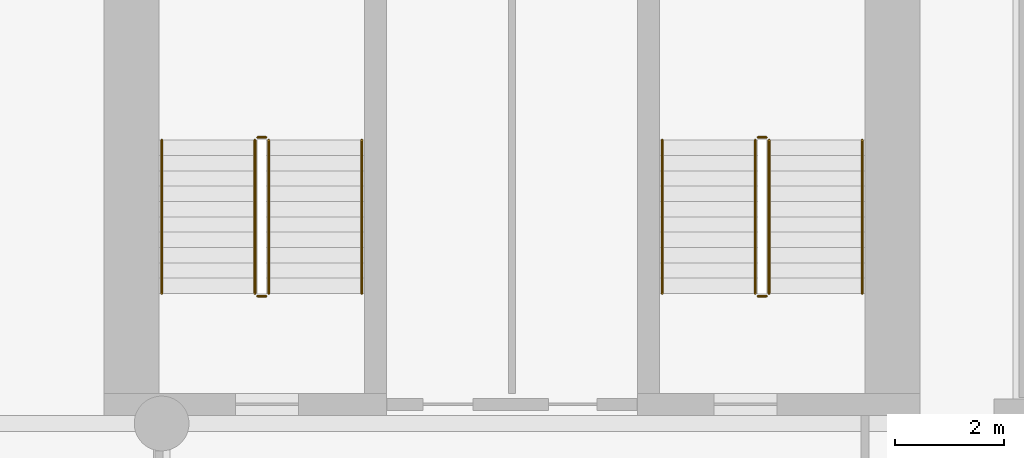
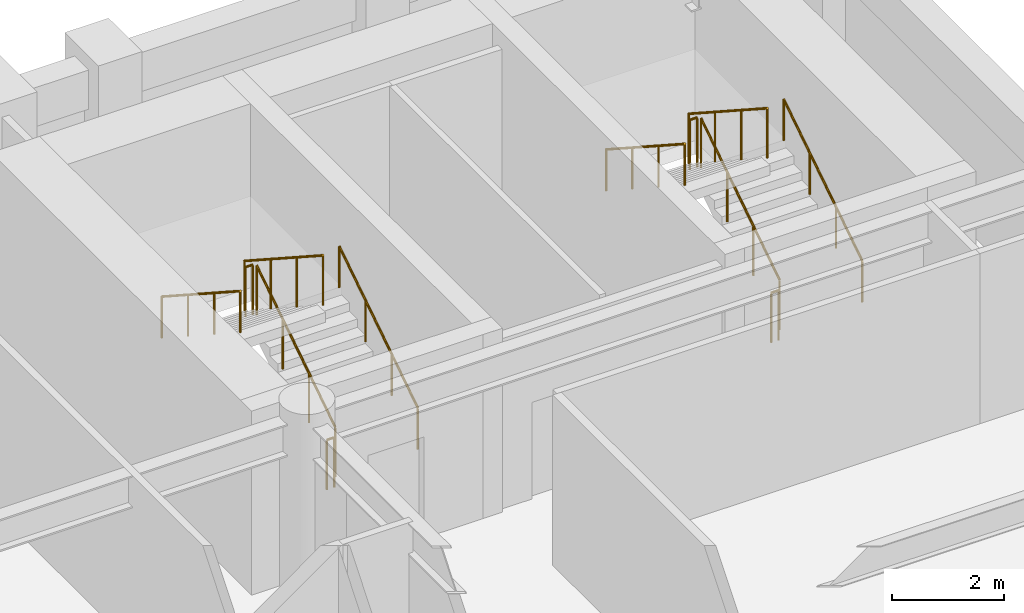
# One storey, part 9 of 9: 12 railings.
"""IFC4 building model written with IfcOpenShell, lengths in metres."""

from ifc_helpers import new_model, si_unit, direction, frame, origin, origin_2d, place, context, subcontext, project, spatial, circle, extrude, material, type_object, element, save


model = new_model("IFC4")

# Units and contexts
model_context = context("Model", 3, precision=1e-05, world=origin(), true_north=direction((0.0, 1.0)))
body_context = subcontext(model_context, "Body", "Model", "MODEL_VIEW")
ifc_project = project(units=[si_unit("LENGTHUNIT", "METRE"), si_unit("AREAUNIT", "SQUARE_METRE"), si_unit("VOLUMEUNIT", "CUBIC_METRE"), si_unit("PLANEANGLEUNIT", "RADIAN"), si_unit("MASSUNIT", "GRAM", prefix="KILO")], contexts=[model_context])

# Site, building, storey
site_placement = place(None, origin())
site = spatial("IfcSite", under=ifc_project, at=site_placement, CompositionType="ELEMENT")
building_placement = place(site_placement, origin())
building = spatial("IfcBuilding", under=site, at=building_placement, Name="Sulina Concourse Tower", CompositionType="ELEMENT")
storey_placement = place(building_placement, frame((0.0, 0.0, 66.60009765625)))
storey = spatial("IfcBuildingStorey", under=building, at=storey_placement, Name="L16", CompositionType="ELEMENT", Elevation=66.60009765625)

# Railings
ifc_material_1 = material(Name="Galvanised steel railing", Category="steel")
railing_type_1 = type_object("IfcRailingType", Name="Core Stair Steel Guardrail 1150mm", PredefinedType="GUARDRAIL", material=ifc_material_1)
railing_1_placement = place(storey_placement, frame((43.554931640625, 36.375, 0.181640625)))
element("IfcRailing", 1, at=railing_1_placement, inside=storey, type_object=railing_type_1, Name="L16 ST-3 stair guard 1", PredefinedType="GUARDRAIL", context=body_context, shape_type="SweptSolid", body=[
    extrude(circle(Radius=0.02392578125, at=origin_2d()), frame((0.0, 0.0, 1.076171875), z_axis=(0.0, 0.838672427954, 0.544636170843), x_axis=(-1.0, 0.0, 0.0)), (0.0, 0.0, 1.0), 3.338623046875),
    extrude(circle(Radius=0.02099609375, at=origin_2d()), origin(), (0.0, 0.0, 1.0), 1.052001953125),
    extrude(circle(Radius=0.02099609375, at=origin_2d()), frame((0.0, 0.933349609375, 0.606201171875)), (0.0, 0.0, 1.0), 1.052001953125),
    extrude(circle(Radius=0.02099609375, at=origin_2d()), frame((0.0, 1.86669921875, 1.212158203125)), (0.0, 0.0, 1.0), 1.052001953125),
    extrude(circle(Radius=0.02099609375, at=origin_2d()), frame((0.0, 2.800048828125, 1.818359375)), (0.0, 0.0, 1.0), 1.052001953125),
])
railing_2_placement = place(storey_placement, frame((43.5048828125, 39.22509765625, 2.0)))
element("IfcRailing", 2, at=railing_2_placement, inside=storey, type_object=railing_type_1, Name="L16 ST-3 stair guard 2", PredefinedType="GUARDRAIL", context=body_context, shape_type="SweptSolid", body=[
    extrude(circle(Radius=0.02392578125, at=origin_2d()), frame((0.0, 0.0, 1.076171875), z_axis=(-1.0, 0.0, 0.0), x_axis=(0.0, -1.0, 0.0)), (0.0, 0.0, 1.0), 0.14990234375),
    extrude(circle(Radius=0.02099609375, at=origin_2d()), origin(), (0.0, 0.0, 1.0), 1.052001953125),
    extrude(circle(Radius=0.02099609375, at=origin_2d()), frame((-0.14990234375, 0.0, 0.0)), (0.0, 0.0, 1.0), 1.052001953125),
])
railing_3_placement = place(storey_placement, frame((43.304931640625, 39.175048828125, 2.181640625)))
element("IfcRailing", 3, at=railing_3_placement, inside=storey, type_object=railing_type_1, Name="L16 ST-3 stair guard 3", PredefinedType="GUARDRAIL", context=body_context, shape_type="SweptSolid", body=[
    extrude(circle(Radius=0.02392578125, at=origin_2d()), frame((0.0, 0.0, 1.076171875), z_axis=(0.0, -0.838672427954, 0.544636170843), x_axis=(1.0, 0.0, 0.0)), (0.0, 0.0, 1.0), 3.338623046875),
    extrude(circle(Radius=0.02099609375, at=origin_2d()), origin(), (0.0, 0.0, 1.0), 1.052001953125),
    extrude(circle(Radius=0.02099609375, at=origin_2d()), frame((0.0, -0.933349609375, 0.606201171875)), (0.0, 0.0, 1.0), 1.052001953125),
    extrude(circle(Radius=0.02099609375, at=origin_2d()), frame((0.0, -1.86669921875, 1.212158203125)), (0.0, 0.0, 1.0), 1.052001953125),
    extrude(circle(Radius=0.02099609375, at=origin_2d()), frame((0.0, -2.800048828125, 1.818359375)), (0.0, 0.0, 1.0), 1.052001953125),
])
railing_4_placement = place(storey_placement, frame((43.5048828125, 36.324951171875, 0.0)))
element("IfcRailing", 4, at=railing_4_placement, inside=storey, type_object=railing_type_1, Name="L16 ST-3 stair guard 4", PredefinedType="GUARDRAIL", context=body_context, shape_type="SweptSolid", body=[
    extrude(circle(Radius=0.02392578125, at=origin_2d()), frame((0.0, 0.0, 1.076171875), z_axis=(-1.0, 0.0, 0.0), x_axis=(0.0, -1.0, 0.0)), (0.0, 0.0, 1.0), 0.14990234375),
    extrude(circle(Radius=0.02099609375, at=origin_2d()), origin(), (0.0, 0.0, 1.0), 1.052001953125),
    extrude(circle(Radius=0.02099609375, at=origin_2d()), frame((-0.14990234375, 0.0, 0.0)), (0.0, 0.0, 1.0), 1.052001953125),
])
railing_5_placement = place(storey_placement, frame((52.695068359375, 36.375, 0.181640625)))
element("IfcRailing", 5, at=railing_5_placement, inside=storey, type_object=railing_type_1, Name="L16 ST-4 stair guard 1", PredefinedType="GUARDRAIL", context=body_context, shape_type="SweptSolid", body=[
    extrude(circle(Radius=0.02392578125, at=origin_2d()), frame((0.0, 0.0, 1.076171875), z_axis=(0.0, 0.838672427954, 0.544636170843), x_axis=(-1.0, 0.0, 0.0)), (0.0, 0.0, 1.0), 3.338623046875),
    extrude(circle(Radius=0.02099609375, at=origin_2d()), origin(), (0.0, 0.0, 1.0), 1.052001953125),
    extrude(circle(Radius=0.02099609375, at=origin_2d()), frame((0.0, 0.933349609375, 0.606201171875)), (0.0, 0.0, 1.0), 1.052001953125),
    extrude(circle(Radius=0.02099609375, at=origin_2d()), frame((0.0, 1.86669921875, 1.212158203125)), (0.0, 0.0, 1.0), 1.052001953125),
    extrude(circle(Radius=0.02099609375, at=origin_2d()), frame((0.0, 2.800048828125, 1.818359375)), (0.0, 0.0, 1.0), 1.052001953125),
])
railing_6_placement = place(storey_placement, frame((52.64501953125, 39.22509765625, 2.0)))
element("IfcRailing", 6, at=railing_6_placement, inside=storey, type_object=railing_type_1, Name="L16 ST-4 stair guard 2", PredefinedType="GUARDRAIL", context=body_context, shape_type="SweptSolid", body=[
    extrude(circle(Radius=0.02392578125, at=origin_2d()), frame((0.0, 0.0, 1.076171875), z_axis=(-1.0, 0.0, 0.0), x_axis=(0.0, -1.0, 0.0)), (0.0, 0.0, 1.0), 0.14990234375),
    extrude(circle(Radius=0.02099609375, at=origin_2d()), origin(), (0.0, 0.0, 1.0), 1.052001953125),
    extrude(circle(Radius=0.02099609375, at=origin_2d()), frame((-0.14990234375, 0.0, 0.0)), (0.0, 0.0, 1.0), 1.052001953125),
])
railing_7_placement = place(storey_placement, frame((52.445068359375, 39.175048828125, 2.181640625)))
element("IfcRailing", 7, at=railing_7_placement, inside=storey, type_object=railing_type_1, Name="L16 ST-4 stair guard 3", PredefinedType="GUARDRAIL", context=body_context, shape_type="SweptSolid", body=[
    extrude(circle(Radius=0.02392578125, at=origin_2d()), frame((0.0, 0.0, 1.076171875), z_axis=(0.0, -0.838672427954, 0.544636170843), x_axis=(1.0, 0.0, 0.0)), (0.0, 0.0, 1.0), 3.338623046875),
    extrude(circle(Radius=0.02099609375, at=origin_2d()), origin(), (0.0, 0.0, 1.0), 1.052001953125),
    extrude(circle(Radius=0.02099609375, at=origin_2d()), frame((0.0, -0.933349609375, 0.606201171875)), (0.0, 0.0, 1.0), 1.052001953125),
    extrude(circle(Radius=0.02099609375, at=origin_2d()), frame((0.0, -1.86669921875, 1.212158203125)), (0.0, 0.0, 1.0), 1.052001953125),
    extrude(circle(Radius=0.02099609375, at=origin_2d()), frame((0.0, -2.800048828125, 1.818359375)), (0.0, 0.0, 1.0), 1.052001953125),
])
railing_8_placement = place(storey_placement, frame((52.64501953125, 36.324951171875, 0.0)))
element("IfcRailing", 8, at=railing_8_placement, inside=storey, type_object=railing_type_1, Name="L16 ST-4 stair guard 4", PredefinedType="GUARDRAIL", context=body_context, shape_type="SweptSolid", body=[
    extrude(circle(Radius=0.02392578125, at=origin_2d()), frame((0.0, 0.0, 1.076171875), z_axis=(-1.0, 0.0, 0.0), x_axis=(0.0, -1.0, 0.0)), (0.0, 0.0, 1.0), 0.14990234375),
    extrude(circle(Radius=0.02099609375, at=origin_2d()), origin(), (0.0, 0.0, 1.0), 1.052001953125),
    extrude(circle(Radius=0.02099609375, at=origin_2d()), frame((-0.14990234375, 0.0, 0.0)), (0.0, 0.0, 1.0), 1.052001953125),
])
ifc_material_2 = material(Name="Galvanised steel railing", Category="steel")
railing_type_2 = type_object("IfcRailingType", Name="Stair Wall Steel Handrail 920mm", PredefinedType="HANDRAIL", material=ifc_material_2)
railing_9_placement = place(storey_placement, frame((45.2548828125, 36.375, 0.181640625)))
element("IfcRailing", 9, at=railing_9_placement, inside=storey, type_object=railing_type_2, Name="L16 ST-3 stair handrail 1", PredefinedType="HANDRAIL", context=body_context, shape_type="SweptSolid", body=[
    extrude(circle(Radius=0.02392578125, at=origin_2d()), frame((0.0, 0.0, 0.89599609375), z_axis=(0.0, 0.838672427954, 0.544636170843), x_axis=(-1.0, 0.0, 0.0)), (0.0, 0.0, 1.0), 3.338623046875),
    extrude(circle(Radius=0.02099609375, at=origin_2d()), origin(), (0.0, 0.0, 1.0), 0.871826171875),
    extrude(circle(Radius=0.02099609375, at=origin_2d()), frame((0.0, 0.933349609375, 0.606201171875)), (0.0, 0.0, 1.0), 0.871826171875),
    extrude(circle(Radius=0.02099609375, at=origin_2d()), frame((0.0, 1.86669921875, 1.212158203125)), (0.0, 0.0, 1.0), 0.871826171875),
    extrude(circle(Radius=0.02099609375, at=origin_2d()), frame((0.0, 2.800048828125, 1.818359375)), (0.0, 0.0, 1.0), 0.871826171875),
])
railing_10_placement = place(storey_placement, frame((41.60498046875, 39.175048828125, 2.181640625)))
element("IfcRailing", 10, at=railing_10_placement, inside=storey, type_object=railing_type_2, Name="L16 ST-3 stair handrail 2", PredefinedType="HANDRAIL", context=body_context, shape_type="SweptSolid", body=[
    extrude(circle(Radius=0.02392578125, at=origin_2d()), frame((0.0, 0.0, 0.89599609375), z_axis=(0.0, -0.838672427954, 0.544636170843), x_axis=(1.0, 0.0, 0.0)), (0.0, 0.0, 1.0), 3.338623046875),
    extrude(circle(Radius=0.02099609375, at=origin_2d()), origin(), (0.0, 0.0, 1.0), 0.871826171875),
    extrude(circle(Radius=0.02099609375, at=origin_2d()), frame((0.0, -0.933349609375, 0.606201171875)), (0.0, 0.0, 1.0), 0.871826171875),
    extrude(circle(Radius=0.02099609375, at=origin_2d()), frame((0.0, -1.86669921875, 1.212158203125)), (0.0, 0.0, 1.0), 0.871826171875),
    extrude(circle(Radius=0.02099609375, at=origin_2d()), frame((0.0, -2.800048828125, 1.818359375)), (0.0, 0.0, 1.0), 0.871826171875),
])
railing_11_placement = place(storey_placement, frame((54.39501953125, 36.375, 0.181640625)))
element("IfcRailing", 11, at=railing_11_placement, inside=storey, type_object=railing_type_2, Name="L16 ST-4 stair handrail 1", PredefinedType="HANDRAIL", context=body_context, shape_type="SweptSolid", body=[
    extrude(circle(Radius=0.02392578125, at=origin_2d()), frame((0.0, 0.0, 0.89599609375), z_axis=(0.0, 0.838672427954, 0.544636170843), x_axis=(-1.0, 0.0, 0.0)), (0.0, 0.0, 1.0), 3.338623046875),
    extrude(circle(Radius=0.02099609375, at=origin_2d()), origin(), (0.0, 0.0, 1.0), 0.871826171875),
    extrude(circle(Radius=0.02099609375, at=origin_2d()), frame((0.0, 0.933349609375, 0.606201171875)), (0.0, 0.0, 1.0), 0.871826171875),
    extrude(circle(Radius=0.02099609375, at=origin_2d()), frame((0.0, 1.86669921875, 1.212158203125)), (0.0, 0.0, 1.0), 0.871826171875),
    extrude(circle(Radius=0.02099609375, at=origin_2d()), frame((0.0, 2.800048828125, 1.818359375)), (0.0, 0.0, 1.0), 0.871826171875),
])
railing_12_placement = place(storey_placement, frame((50.7451171875, 39.175048828125, 2.181640625)))
element("IfcRailing", 12, at=railing_12_placement, inside=storey, type_object=railing_type_2, Name="L16 ST-4 stair handrail 2", PredefinedType="HANDRAIL", context=body_context, shape_type="SweptSolid", body=[
    extrude(circle(Radius=0.02392578125, at=origin_2d()), frame((0.0, 0.0, 0.89599609375), z_axis=(0.0, -0.838672427954, 0.544636170843), x_axis=(1.0, 0.0, 0.0)), (0.0, 0.0, 1.0), 3.338623046875),
    extrude(circle(Radius=0.02099609375, at=origin_2d()), origin(), (0.0, 0.0, 1.0), 0.871826171875),
    extrude(circle(Radius=0.02099609375, at=origin_2d()), frame((0.0, -0.933349609375, 0.606201171875)), (0.0, 0.0, 1.0), 0.871826171875),
    extrude(circle(Radius=0.02099609375, at=origin_2d()), frame((0.0, -1.86669921875, 1.212158203125)), (0.0, 0.0, 1.0), 0.871826171875),
    extrude(circle(Radius=0.02099609375, at=origin_2d()), frame((0.0, -2.800048828125, 1.818359375)), (0.0, 0.0, 1.0), 0.871826171875),
])

save(model, "model.ifc")
